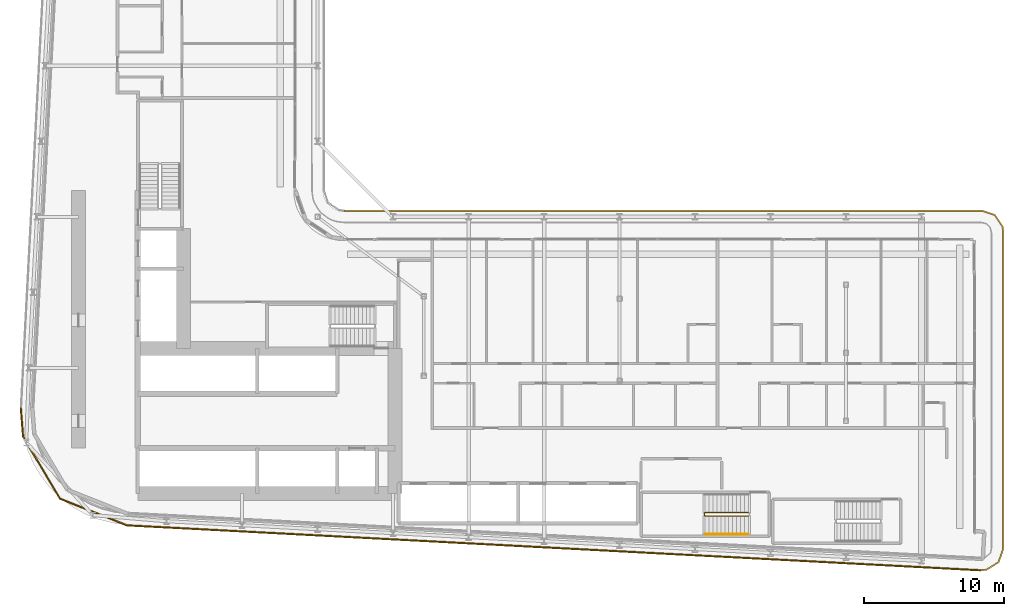
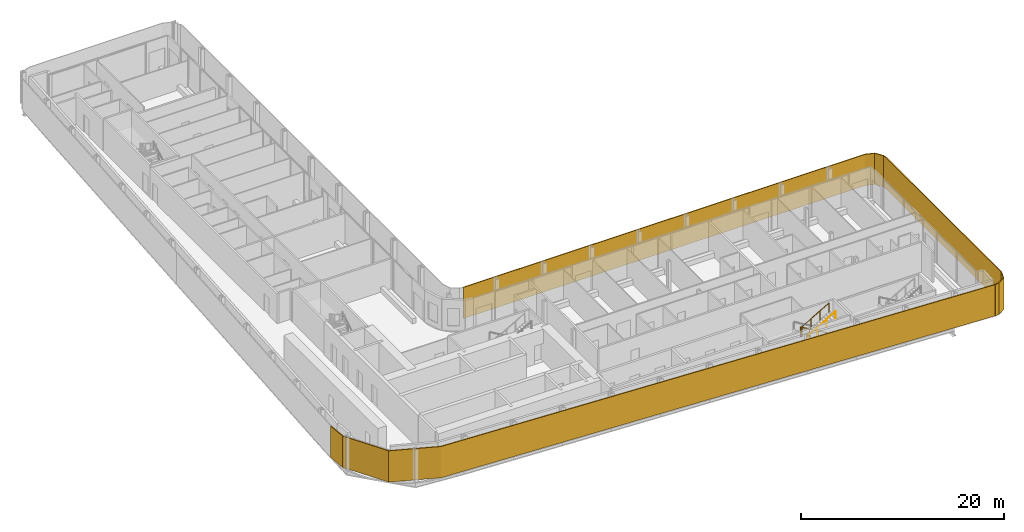
# One storey, part 23 of 27: 2 railings, 2 shading devices.
"""IFC4 building model written with IfcOpenShell, lengths in metres."""

from ifc_helpers import new_model, si_unit, direction, frame, origin, origin_2d, place, context, subcontext, project, spatial, polyline, circle, outline, extrude, material, layer, layer_set, type_object, element, save


model = new_model("IFC4")

# Units and contexts
model_context = context("Model", 3, precision=1e-05, world=origin(), true_north=direction((0.0, 1.0)))
body_context = subcontext(model_context, "Body", "Model", "MODEL_VIEW")
ifc_project = project(units=[si_unit("LENGTHUNIT", "METRE"), si_unit("AREAUNIT", "SQUARE_METRE"), si_unit("VOLUMEUNIT", "CUBIC_METRE"), si_unit("PLANEANGLEUNIT", "RADIAN"), si_unit("MASSUNIT", "GRAM", prefix="KILO")], contexts=[model_context])

# Site, building, storey
site_placement = place(None, origin())
site = spatial("IfcSite", under=ifc_project, at=site_placement, CompositionType="ELEMENT")
building_placement = place(site_placement, origin())
building = spatial("IfcBuilding", under=site, at=building_placement, Name="Kheshtan School and Residences Tower", CompositionType="ELEMENT")
storey_placement = place(building_placement, frame((0.0, 0.0, 46.10009765625)))
storey = spatial("IfcBuildingStorey", under=building, at=storey_placement, Name="L10", CompositionType="ELEMENT", Elevation=46.10009765625)

# Shading devices
ifc_material_1 = material(Name="Terracotta baguette, extruded ceramic", Category="masonry")
ifc_layer_1 = layer(ifc_material_1, 0.10009765625)
ifc_layer_set_1 = layer_set([ifc_layer_1], Name="Ledge screen, terracotta baguettes")
shading_device_type_1 = type_object("IfcShadingDeviceType", Name="Ledge screen, terracotta baguettes", PredefinedType="USERDEFINED", material=ifc_layer_set_1)
shading_device_1_placement = place(storey_placement, origin())
element("IfcShadingDevice", 1, at=shading_device_1_placement, inside=storey, type_object=shading_device_type_1, Name="Screen L10 3", ObjectType="BAGUETTE", PredefinedType="USERDEFINED", context=body_context, shape_type="SweptSolid", body=[
    extrude(outline(polyline([(95.02099609375, 20.366943359375), (33.989013671875, 23.580078125), (29.2119140625, 25.486083984375), (26.583984375, 29.906982421875), (26.419921875, 31.989013671875), (26.320068359375, 31.98095703125), (26.486083984375, 29.8759765625), (29.14306640625, 25.406005859375), (33.967041015625, 23.48095703125), (95.01611328125, 20.26708984375), (95.02099609375, 20.366943359375)])), origin(), (0.0, 0.0, 1.0), 3.75),
])
ifc_material_2 = material(Name="Terracotta lattice, extruded ceramic", Category="masonry")
ifc_layer_2 = layer(ifc_material_2, 0.10009765625)
ifc_layer_set_2 = layer_set([ifc_layer_2], Name="Loggia screen, terracotta lattice")
shading_device_type_2 = type_object("IfcShadingDeviceType", Name="Loggia screen, terracotta lattice", PredefinedType="USERDEFINED", material=ifc_layer_set_2)
shading_device_2_placement = place(storey_placement, origin())
element("IfcShadingDevice", 2, at=shading_device_2_placement, inside=storey, type_object=shading_device_type_2, Name="Screen L10 2", ObjectType="SCREEN", PredefinedType="USERDEFINED", context=body_context, shape_type="SweptSolid", body=[
    extrude(outline(polyline([(49.5, 46.0), (95.10009765625, 46.0), (96.012939453125, 45.68994140625), (96.549072265625, 44.887939453125), (96.60009765625, 44.5), (96.60009765625, 21.864990234375), (96.27001953125, 20.926025390625), (95.424072265625, 20.40087890625), (95.02099609375, 20.366943359375), (95.029052734375, 20.26708984375), (95.4560546875, 20.302978515625), (96.35302734375, 20.860107421875), (96.699951171875, 21.847900390625), (96.699951171875, 44.507080078125), (96.64501953125, 44.924072265625), (96.076904296875, 45.77392578125), (95.116943359375, 46.10009765625), (49.5, 46.10009765625), (49.5, 46.0)])), origin(), (0.0, 0.0, 1.0), 3.75),
])

# Railings
ifc_material_3 = material(Name="Stainless steel balustrade", Category="steel")
railing_type_1 = type_object("IfcRailingType", Name="Stair guard 1100", PredefinedType="GUARDRAIL", material=ifc_material_3)
railing_1_placement = place(storey_placement, frame((78.409912109375, 24.449951171875, 0.162353515625)))
element("IfcRailing", 3, at=railing_1_placement, inside=storey, type_object=railing_type_1, Name="L10 ST5 stair guard 1", PredefinedType="GUARDRAIL", context=body_context, shape_type="SweptSolid", body=[
    extrude(circle(Radius=0.02392578125, at=origin_2d()), frame((0.0, 0.0, 1.076171875), z_axis=(-0.864873446163, 0.0, 0.501989962173), x_axis=(0.0, -1.0, 0.0)), (0.0, 0.0, 1.0), 3.56103515625),
    extrude(circle(Radius=0.02392578125, at=origin_2d()), frame((-3.079833984375, 0.0, 2.86376953125), z_axis=(-0.707106781187, -0.707106781187, 0.0), x_axis=(0.707106781187, -0.707106781187, 0.0)), (0.0, 0.0, 1.0), 0.07080078125),
    extrude(circle(Radius=0.02392578125, at=origin_2d()), frame((-3.1298828125, -0.050048828125, 2.86376953125), z_axis=(0.0, -1.0, 0.0), x_axis=(1.0, 0.0, 0.0)), (0.0, 0.0, 1.0), 0.14990234375),
    extrude(circle(Radius=0.02392578125, at=origin_2d()), frame((-3.1298828125, -0.199951171875, 2.86376953125), z_axis=(0.282583949758, -0.282583949758, 0.916674763849), x_axis=(0.707106781187, 0.707106781187, 0.0)), (0.0, 0.0, 1.0), 0.177001953125),
    extrude(circle(Radius=0.02392578125, at=origin_2d()), frame((-3.079833984375, -0.25, 3.02587890625), z_axis=(0.864873446163, 0.0, 0.501989962173), x_axis=(0.0, 1.0, 0.0)), (0.0, 0.0, 1.0), 3.56103515625),
    extrude(circle(Radius=0.02099609375, at=origin_2d()), origin(), (0.0, 0.0, 1.0), 1.052001953125),
    extrude(circle(Radius=0.02099609375, at=origin_2d()), frame((-1.026611328125, 0.0, 0.595947265625)), (0.0, 0.0, 1.0), 1.052001953125),
    extrude(circle(Radius=0.02099609375, at=origin_2d()), frame((-2.05322265625, 0.0, 1.191650390625)), (0.0, 0.0, 1.0), 1.052001953125),
    extrude(circle(Radius=0.02099609375, at=origin_2d()), frame((-3.079833984375, 0.0, 1.78759765625)), (0.0, 0.0, 1.0), 1.052001953125),
    extrude(circle(Radius=0.02099609375, at=origin_2d()), frame((-3.1298828125, -0.050048828125, 1.78759765625)), (0.0, 0.0, 1.0), 1.052001953125),
    extrude(circle(Radius=0.02099609375, at=origin_2d()), frame((-3.1298828125, -0.199951171875, 1.78759765625)), (0.0, 0.0, 1.0), 1.052001953125),
    extrude(circle(Radius=0.02099609375, at=origin_2d()), frame((-3.079833984375, -0.25, 1.949951171875)), (0.0, 0.0, 1.0), 1.052001953125),
    extrude(circle(Radius=0.02099609375, at=origin_2d()), frame((-2.05322265625, -0.25, 2.5458984375)), (0.0, 0.0, 1.0), 1.052001953125),
    extrude(circle(Radius=0.02099609375, at=origin_2d()), frame((-1.026611328125, -0.25, 3.1416015625)), (0.0, 0.0, 1.0), 1.052001953125),
    extrude(circle(Radius=0.02099609375, at=origin_2d()), frame((0.0, -0.25, 3.737548828125)), (0.0, 0.0, 1.0), 1.052001953125),
])
ifc_material_4 = material(Name="Stainless steel handrail", Category="steel")
railing_type_2 = type_object("IfcRailingType", Name="Stair handrail 900", PredefinedType="HANDRAIL", material=ifc_material_4)
railing_2_placement = place(storey_placement, frame((75.330078125, 22.89990234375, 2.1123046875)))
element("IfcRailing", 4, at=railing_2_placement, inside=storey, type_object=railing_type_2, Name="L10 ST5 stair handrail 2", PredefinedType="HANDRAIL", context=body_context, shape_type="SweptSolid", body=[
    extrude(circle(Radius=0.02392578125, at=origin_2d()), frame((0.0, 0.0, 0.8759765625), z_axis=(0.864873446163, 0.0, 0.501989962173), x_axis=(0.0, 1.0, 0.0)), (0.0, 0.0, 1.0), 3.56103515625),
    extrude(circle(Radius=0.02099609375, at=origin_2d()), origin(), (0.0, 0.0, 1.0), 0.851806640625),
    extrude(circle(Radius=0.02099609375, at=origin_2d()), frame((1.026611328125, 0.0, 0.595947265625)), (0.0, 0.0, 1.0), 0.851806640625),
    extrude(circle(Radius=0.02099609375, at=origin_2d()), frame((2.05322265625, 0.0, 1.191650390625)), (0.0, 0.0, 1.0), 0.851806640625),
    extrude(circle(Radius=0.02099609375, at=origin_2d()), frame((3.079833984375, 0.0, 1.78759765625)), (0.0, 0.0, 1.0), 0.851806640625),
])

save(model, "model.ifc")
